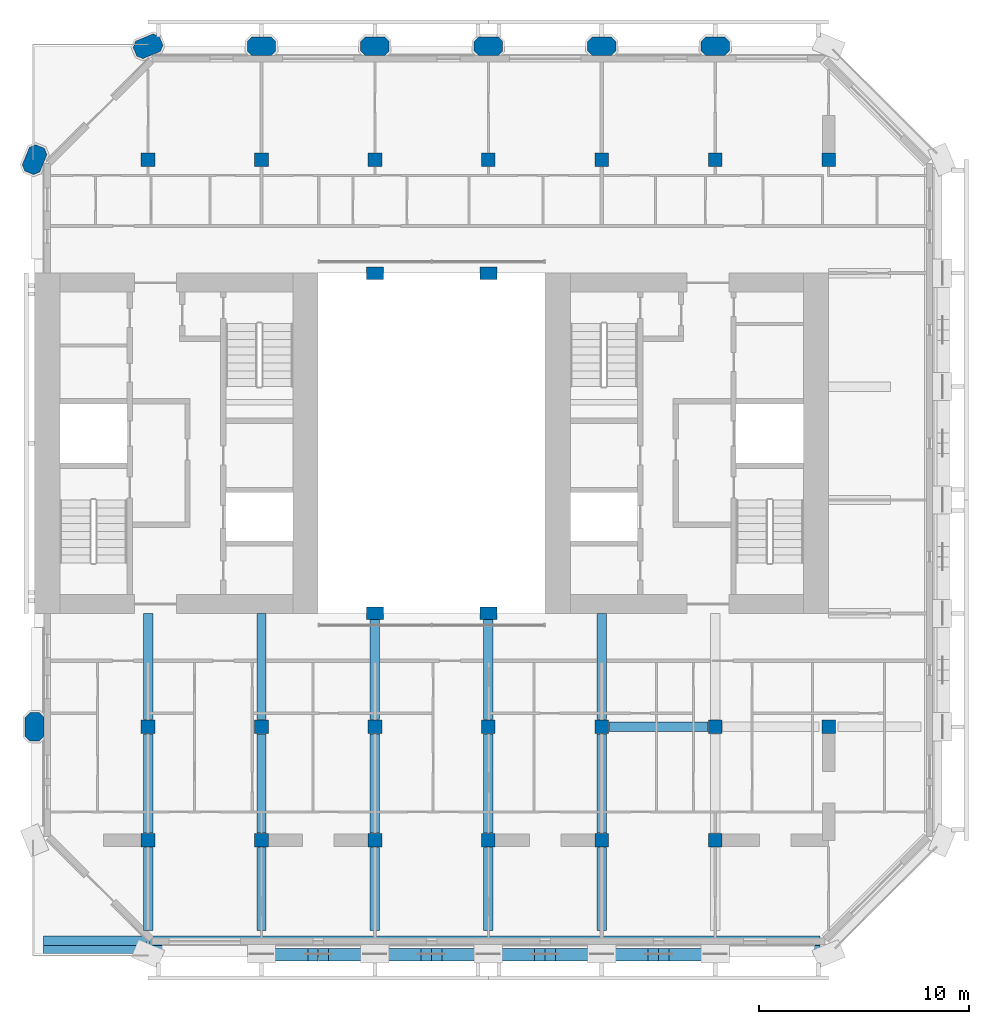
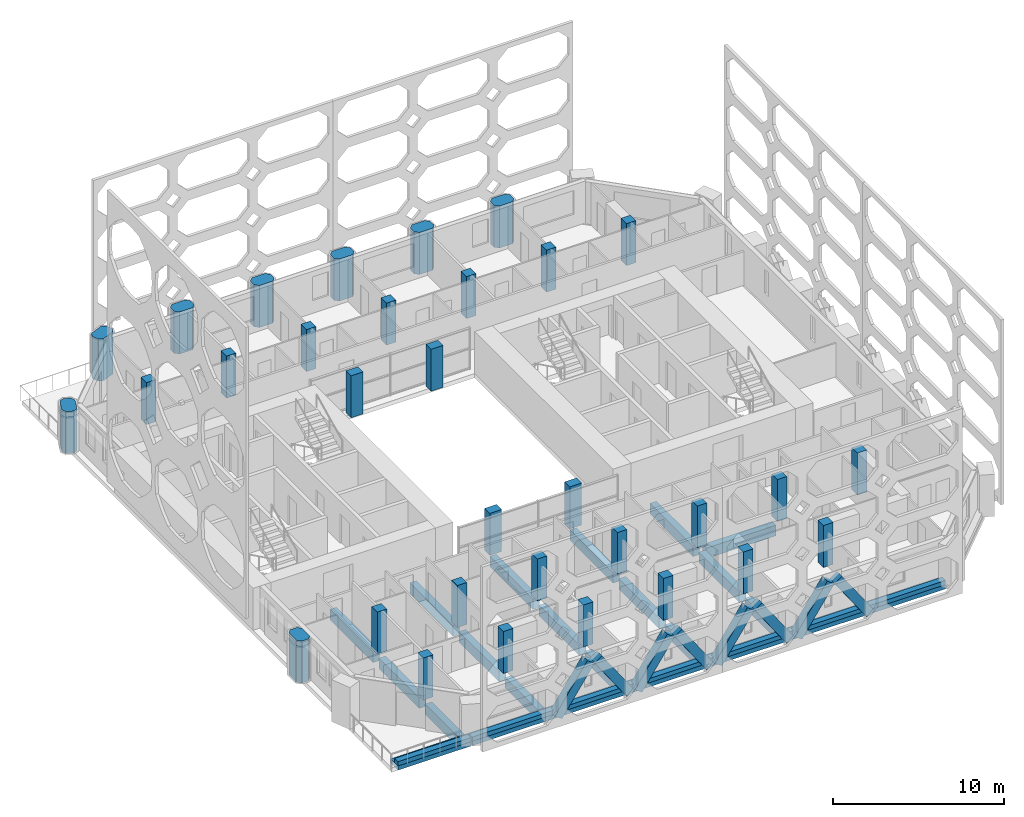
# One storey, part 1 of 15: 32 columns, 20 beams, 8 members.
"""IFC4 building model written with IfcOpenShell, lengths in metres."""

from ifc_helpers import new_model, si_unit, direction, frame, origin, origin_2d, place, context, subcontext, project, spatial, polyline, rectangle, outline, extrude, material, material_profile, profile_set, type_object, element, save


model = new_model("IFC4")

# Units and contexts
model_context = context("Model", 3, precision=1e-05, world=origin(), true_north=direction((0.0, 1.0)))
body_context = subcontext(model_context, "Body", "Model", "MODEL_VIEW")
ifc_project = project(units=[si_unit("LENGTHUNIT", "METRE"), si_unit("AREAUNIT", "SQUARE_METRE"), si_unit("VOLUMEUNIT", "CUBIC_METRE"), si_unit("PLANEANGLEUNIT", "RADIAN"), si_unit("MASSUNIT", "GRAM", prefix="KILO")], contexts=[model_context])

# Site, building, storey
site_placement = place(None, origin())
site = spatial("IfcSite", under=ifc_project, at=site_placement, CompositionType="ELEMENT")
building_placement = place(site_placement, origin())
building = spatial("IfcBuilding", under=site, at=building_placement, Name="Tabaq Tower and Sports Hall", CompositionType="ELEMENT")
storey_placement = place(building_placement, frame((0.0, 0.0, 265.300048828125)))
storey = spatial("IfcBuildingStorey", under=building, at=storey_placement, Name="L64", CompositionType="ELEMENT", Elevation=265.300048828125)

# Columns
ifc_material_1 = material(Name="Concrete C40/50", Category="concrete")
ifc_material_profile_1 = material_profile(ifc_material_1, rectangle(XDim=0.800048828125, YDim=0.60009765625, at=origin_2d()), Name="ATRIUM COLUMN 800x600")
ifc_profile_set_1 = profile_set([ifc_material_profile_1], Name="Concrete C40/50")
column_type_1 = type_object("IfcColumnType", Name="RC COLUMN ATRIUM COLUMN 800x600 C40/50", PredefinedType="COLUMN", material=ifc_profile_set_1)
for number, where, z_axis, x_axis, name in (
    (1, (21.60009765625, 16.199951171875, 0.0), (0.0, 0.0, 1.0), (1.0, 0.0, 0.0), "Atrium Column 5/D L64"),
    (2, (27.0, 16.199951171875, 0.0), (0.0, 0.0, 1.0), (1.0, 0.0, 0.0), "Atrium Column 6/D L64"),
    (3, (21.60009765625, 32.39990234375, 0.0), (0.0, 0.0, 1.0), (1.0, 0.0, 0.0), "Atrium Column 5/G L64"),
    (4, (27.0, 32.39990234375, 0.0), (0.0, 0.0, 1.0), (1.0, 0.0, 0.0), "Atrium Column 6/G L64"),
):
    element("IfcColumn", number, at=place(storey_placement, frame(where, z_axis=z_axis, x_axis=x_axis)), inside=storey, type_object=column_type_1, Name=name, PredefinedType="COLUMN", context=body_context, shape_type="SweptSolid", body=[
        extrude(rectangle(XDim=0.800048828125, YDim=0.60009765625, at=origin_2d()), origin(), (0.0, 0.0, 1.0), 3.0),
    ])
ifc_material_2 = material(Name="Concrete C40/50", Category="concrete")
ifc_material_profile_2 = material_profile(ifc_material_2, rectangle(XDim=0.64990234375, YDim=0.64990234375, at=origin_2d()), Name="COLUMN 650x650")
ifc_profile_set_2 = profile_set([ifc_material_profile_2], Name="Concrete C40/50")
column_type_2 = type_object("IfcColumnType", Name="RC COLUMN COLUMN 650x650 C40/50", PredefinedType="COLUMN", material=ifc_profile_set_2)
for number, where, z_axis, x_axis, name in (
    (5, (10.800048828125, 5.39990234375, 0.0), (0.0, 0.0, 1.0), (1.0, 0.0, 0.0), "Column 3/B L64"),
    (6, (16.199951171875, 5.39990234375, 0.0), (0.0, 0.0, 1.0), (1.0, 0.0, 0.0), "Column 4/B L64"),
    (7, (21.60009765625, 5.39990234375, 0.0), (0.0, 0.0, 1.0), (1.0, 0.0, 0.0), "Column 5/B L64"),
    (8, (27.0, 5.39990234375, 0.0), (0.0, 0.0, 1.0), (1.0, 0.0, 0.0), "Column 6/B L64"),
    (9, (32.39990234375, 5.39990234375, 0.0), (0.0, 0.0, 1.0), (1.0, 0.0, 0.0), "Column 7/B L64"),
    (10, (37.800048828125, 5.39990234375, 0.0), (0.0, 0.0, 1.0), (1.0, 0.0, 0.0), "Column 8/B L64"),
    (11, (10.800048828125, 10.800048828125, 0.0), (0.0, 0.0, 1.0), (1.0, 0.0, 0.0), "Column 3/C L64"),
    (12, (16.199951171875, 10.800048828125, 0.0), (0.0, 0.0, 1.0), (1.0, 0.0, 0.0), "Column 4/C L64"),
    (13, (21.60009765625, 10.800048828125, 0.0), (0.0, 0.0, 1.0), (1.0, 0.0, 0.0), "Column 5/C L64"),
    (14, (27.0, 10.800048828125, 0.0), (0.0, 0.0, 1.0), (1.0, 0.0, 0.0), "Column 6/C L64"),
    (15, (32.39990234375, 10.800048828125, 0.0), (0.0, 0.0, 1.0), (1.0, 0.0, 0.0), "Column 7/C L64"),
    (16, (37.800048828125, 10.800048828125, 0.0), (0.0, 0.0, 1.0), (1.0, 0.0, 0.0), "Column 8/C L64"),
    (17, (43.199951171875, 10.800048828125, 0.0), (0.0, 0.0, 1.0), (1.0, 0.0, 0.0), "Column 9/C L64"),
    (18, (10.800048828125, 37.800048828125, 0.0), (0.0, 0.0, 1.0), (1.0, 0.0, 0.0), "Column 3/H L64"),
    (19, (16.199951171875, 37.800048828125, 0.0), (0.0, 0.0, 1.0), (1.0, 0.0, 0.0), "Column 4/H L64"),
    (20, (21.60009765625, 37.800048828125, 0.0), (0.0, 0.0, 1.0), (1.0, 0.0, 0.0), "Column 5/H L64"),
    (21, (27.0, 37.800048828125, 0.0), (0.0, 0.0, 1.0), (1.0, 0.0, 0.0), "Column 6/H L64"),
    (22, (32.39990234375, 37.800048828125, 0.0), (0.0, 0.0, 1.0), (1.0, 0.0, 0.0), "Column 7/H L64"),
    (23, (37.800048828125, 37.800048828125, 0.0), (0.0, 0.0, 1.0), (1.0, 0.0, 0.0), "Column 8/H L64"),
    (24, (43.199951171875, 37.800048828125, 0.0), (0.0, 0.0, 1.0), (1.0, 0.0, 0.0), "Column 9/H L64"),
):
    element("IfcColumn", number, at=place(storey_placement, frame(where, z_axis=z_axis, x_axis=x_axis)), inside=storey, type_object=column_type_2, Name=name, PredefinedType="COLUMN", context=body_context, shape_type="SweptSolid", body=[
        extrude(rectangle(XDim=0.64990234375, YDim=0.64990234375, at=origin_2d()), origin(), (0.0, 0.0, 1.0), 3.0),
    ])
ifc_material_3 = material(Name="Concrete C40/50", Category="concrete")
ifc_material_profile_3 = material_profile(ifc_material_3, outline(polyline([(-0.449951171875, -0.449951171875), (0.449951171875, -0.449951171875), (0.675048828125, -0.22509765625), (0.675048828125, 0.22509765625), (0.449951171875, 0.449951171875), (-0.449951171875, 0.449951171875), (-0.675048828125, 0.22509765625), (-0.675048828125, -0.22509765625), (-0.449951171875, -0.449951171875)])), Name="PIER 1350x900")
ifc_profile_set_3 = profile_set([ifc_material_profile_3], Name="Concrete C40/50")
column_type_3 = type_object("IfcColumnType", Name="RC COLUMN PIER 1350x900 C40/50", PredefinedType="COLUMN", material=ifc_profile_set_3)
for number, where, z_axis, x_axis, name in (
    (25, (5.39990234375, 10.800048828125, 0.0), (0.0, 0.0, 1.0), (0.0, 1.0, 0.0), "Pier 2/C L64"),
    (26, (5.39990234375, 37.800048828125, 0.0), (0.0, 0.0, 1.0), (0.382683432365, 0.923879532511, 0.0), "Pier 2/H L64"),
    (27, (10.800048828125, 43.199951171875, 0.0), (0.0, 0.0, 1.0), (0.923879532511, 0.382683432365, 0.0), "Pier 3/I L64"),
    (28, (16.199951171875, 43.199951171875, 0.0), (0.0, 0.0, 1.0), (1.0, 0.0, 0.0), "Pier 4/I L64"),
    (29, (21.60009765625, 43.199951171875, 0.0), (0.0, 0.0, 1.0), (1.0, 0.0, 0.0), "Pier 5/I L64"),
    (30, (27.0, 43.199951171875, 0.0), (0.0, 0.0, 1.0), (1.0, 0.0, 0.0), "Pier 6/I L64"),
    (31, (32.39990234375, 43.199951171875, 0.0), (0.0, 0.0, 1.0), (1.0, 0.0, 0.0), "Pier 7/I L64"),
    (32, (37.800048828125, 43.199951171875, 0.0), (0.0, 0.0, 1.0), (1.0, 0.0, 0.0), "Pier 8/I L64"),
):
    element("IfcColumn", number, at=place(storey_placement, frame(where, z_axis=z_axis, x_axis=x_axis)), inside=storey, type_object=column_type_3, Name=name, PredefinedType="COLUMN", context=body_context, shape_type="SweptSolid", body=[
        extrude(outline(polyline([(-0.449951171875, -0.449951171875), (0.449951171875, -0.449951171875), (0.675048828125, -0.22509765625), (0.675048828125, 0.22509765625), (0.449951171875, 0.449951171875), (-0.449951171875, 0.449951171875), (-0.675048828125, 0.22509765625), (-0.675048828125, -0.22509765625), (-0.449951171875, -0.449951171875)])), origin(), (0.0, 0.0, 1.0), 3.0),
    ])

# Beams
ifc_material_4 = material(Name="Concrete C40/50", Category="concrete")
ifc_material_profile_4 = material_profile(ifc_material_4, rectangle(XDim=0.449951171875, YDim=0.75, at=origin_2d()), Name="CB 450x750")
ifc_profile_set_4 = profile_set([ifc_material_profile_4], Name="Concrete C40/50")
beam_type_1 = type_object("IfcBeamType", Name="PT CANTILEVER BEAM CB 450x750 C40/50", PredefinedType="BEAM", material=ifc_profile_set_4)
beam_1_placement = place(storey_placement, frame((37.449951171875, 10.800048828125, -0.675048828125), z_axis=(-1.0, 0.0, 0.0), x_axis=(0.0, -1.0, 0.0)))
element("IfcBeam", 33, at=beam_1_placement, inside=storey, type_object=beam_type_1, Name="Cantilever Beam L64 E2 span 3", PredefinedType="BEAM", context=body_context, shape_type="SweptSolid", body=[
    extrude(rectangle(XDim=0.449951171875, YDim=0.75, at=origin_2d()), origin(), (0.0, 0.0, 1.0), 4.699951171875),
])
beam_2_placement = place(storey_placement, frame((10.800048828125, 1.10009765625, -0.675048828125), z_axis=(0.0, 1.0, 0.0), x_axis=(-1.0, 0.0, 0.0)))
element("IfcBeam", 34, at=beam_2_placement, inside=storey, type_object=beam_type_1, Name="Cantilever Beam L64 S2 span 1", PredefinedType="BEAM", context=body_context, shape_type="SweptSolid", body=[
    extrude(rectangle(XDim=0.449951171875, YDim=0.75, at=origin_2d()), origin(), (0.0, 0.0, 1.0), 3.949951171875),
])
beam_3_placement = place(storey_placement, frame((10.800048828125, 5.75, -0.675048828125), z_axis=(0.0, 1.0, 0.0), x_axis=(-1.0, 0.0, 0.0)))
element("IfcBeam", 35, at=beam_3_placement, inside=storey, type_object=beam_type_1, Name="Cantilever Beam L64 S2 span 2", PredefinedType="BEAM", context=body_context, shape_type="SweptSolid", body=[
    extrude(rectangle(XDim=0.449951171875, YDim=0.75, at=origin_2d()), origin(), (0.0, 0.0, 1.0), 4.699951171875),
])
beam_4_placement = place(storey_placement, frame((10.800048828125, 11.14990234375, -0.675048828125), z_axis=(0.0, 1.0, 0.0), x_axis=(-1.0, 0.0, 0.0)))
element("IfcBeam", 36, at=beam_4_placement, inside=storey, type_object=beam_type_1, Name="Cantilever Beam L64 S2 span 3", PredefinedType="BEAM", context=body_context, shape_type="SweptSolid", body=[
    extrude(rectangle(XDim=0.449951171875, YDim=0.75, at=origin_2d()), origin(), (0.0, 0.0, 1.0), 5.050048828125),
])
beam_5_placement = place(storey_placement, frame((16.199951171875, 1.10009765625, -0.675048828125), z_axis=(0.0, 1.0, 0.0), x_axis=(-1.0, 0.0, 0.0)))
element("IfcBeam", 37, at=beam_5_placement, inside=storey, type_object=beam_type_1, Name="Cantilever Beam L64 S3 span 1", PredefinedType="BEAM", context=body_context, shape_type="SweptSolid", body=[
    extrude(rectangle(XDim=0.449951171875, YDim=0.75, at=origin_2d()), origin(), (0.0, 0.0, 1.0), 3.949951171875),
])
beam_6_placement = place(storey_placement, frame((16.199951171875, 5.75, -0.675048828125), z_axis=(0.0, 1.0, 0.0), x_axis=(-1.0, 0.0, 0.0)))
element("IfcBeam", 38, at=beam_6_placement, inside=storey, type_object=beam_type_1, Name="Cantilever Beam L64 S3 span 2", PredefinedType="BEAM", context=body_context, shape_type="SweptSolid", body=[
    extrude(rectangle(XDim=0.449951171875, YDim=0.75, at=origin_2d()), origin(), (0.0, 0.0, 1.0), 4.699951171875),
])
beam_7_placement = place(storey_placement, frame((16.199951171875, 11.14990234375, -0.675048828125), z_axis=(0.0, 1.0, 0.0), x_axis=(-1.0, 0.0, 0.0)))
element("IfcBeam", 39, at=beam_7_placement, inside=storey, type_object=beam_type_1, Name="Cantilever Beam L64 S3 span 3", PredefinedType="BEAM", context=body_context, shape_type="SweptSolid", body=[
    extrude(rectangle(XDim=0.449951171875, YDim=0.75, at=origin_2d()), origin(), (0.0, 0.0, 1.0), 5.050048828125),
])
beam_8_placement = place(storey_placement, frame((21.60009765625, 1.10009765625, -0.675048828125), z_axis=(0.0, 1.0, 0.0), x_axis=(-1.0, 0.0, 0.0)))
element("IfcBeam", 40, at=beam_8_placement, inside=storey, type_object=beam_type_1, Name="Cantilever Beam L64 S4 span 1", PredefinedType="BEAM", context=body_context, shape_type="SweptSolid", body=[
    extrude(rectangle(XDim=0.449951171875, YDim=0.75, at=origin_2d()), origin(), (0.0, 0.0, 1.0), 3.949951171875),
])
beam_9_placement = place(storey_placement, frame((21.60009765625, 5.75, -0.675048828125), z_axis=(0.0, 1.0, 0.0), x_axis=(-1.0, 0.0, 0.0)))
element("IfcBeam", 41, at=beam_9_placement, inside=storey, type_object=beam_type_1, Name="Cantilever Beam L64 S4 span 2", PredefinedType="BEAM", context=body_context, shape_type="SweptSolid", body=[
    extrude(rectangle(XDim=0.449951171875, YDim=0.75, at=origin_2d()), origin(), (0.0, 0.0, 1.0), 4.699951171875),
])
beam_10_placement = place(storey_placement, frame((21.60009765625, 11.14990234375, -0.675048828125), z_axis=(0.0, 1.0, 0.0), x_axis=(-1.0, 0.0, 0.0)))
element("IfcBeam", 42, at=beam_10_placement, inside=storey, type_object=beam_type_1, Name="Cantilever Beam L64 S4 span 3", PredefinedType="BEAM", context=body_context, shape_type="SweptSolid", body=[
    extrude(rectangle(XDim=0.449951171875, YDim=0.75, at=origin_2d()), origin(), (0.0, 0.0, 1.0), 5.050048828125),
])
beam_11_placement = place(storey_placement, frame((27.0, 1.10009765625, -0.675048828125), z_axis=(0.0, 1.0, 0.0), x_axis=(-1.0, 0.0, 0.0)))
element("IfcBeam", 43, at=beam_11_placement, inside=storey, type_object=beam_type_1, Name="Cantilever Beam L64 S5 span 1", PredefinedType="BEAM", context=body_context, shape_type="SweptSolid", body=[
    extrude(rectangle(XDim=0.449951171875, YDim=0.75, at=origin_2d()), origin(), (0.0, 0.0, 1.0), 3.949951171875),
])
beam_12_placement = place(storey_placement, frame((27.0, 5.75, -0.675048828125), z_axis=(0.0, 1.0, 0.0), x_axis=(-1.0, 0.0, 0.0)))
element("IfcBeam", 44, at=beam_12_placement, inside=storey, type_object=beam_type_1, Name="Cantilever Beam L64 S5 span 2", PredefinedType="BEAM", context=body_context, shape_type="SweptSolid", body=[
    extrude(rectangle(XDim=0.449951171875, YDim=0.75, at=origin_2d()), origin(), (0.0, 0.0, 1.0), 4.699951171875),
])
beam_13_placement = place(storey_placement, frame((27.0, 11.14990234375, -0.675048828125), z_axis=(0.0, 1.0, 0.0), x_axis=(-1.0, 0.0, 0.0)))
element("IfcBeam", 45, at=beam_13_placement, inside=storey, type_object=beam_type_1, Name="Cantilever Beam L64 S5 span 3", PredefinedType="BEAM", context=body_context, shape_type="SweptSolid", body=[
    extrude(rectangle(XDim=0.449951171875, YDim=0.75, at=origin_2d()), origin(), (0.0, 0.0, 1.0), 5.050048828125),
])
beam_14_placement = place(storey_placement, frame((32.39990234375, 1.10009765625, -0.675048828125), z_axis=(0.0, 1.0, 0.0), x_axis=(-1.0, 0.0, 0.0)))
element("IfcBeam", 46, at=beam_14_placement, inside=storey, type_object=beam_type_1, Name="Cantilever Beam L64 S6 span 1", PredefinedType="BEAM", context=body_context, shape_type="SweptSolid", body=[
    extrude(rectangle(XDim=0.449951171875, YDim=0.75, at=origin_2d()), origin(), (0.0, 0.0, 1.0), 3.949951171875),
])
beam_15_placement = place(storey_placement, frame((32.39990234375, 5.75, -0.675048828125), z_axis=(0.0, 1.0, 0.0), x_axis=(-1.0, 0.0, 0.0)))
element("IfcBeam", 47, at=beam_15_placement, inside=storey, type_object=beam_type_1, Name="Cantilever Beam L64 S6 span 2", PredefinedType="BEAM", context=body_context, shape_type="SweptSolid", body=[
    extrude(rectangle(XDim=0.449951171875, YDim=0.75, at=origin_2d()), origin(), (0.0, 0.0, 1.0), 4.699951171875),
])
beam_16_placement = place(storey_placement, frame((32.39990234375, 11.14990234375, -0.675048828125), z_axis=(0.0, 1.0, 0.0), x_axis=(-1.0, 0.0, 0.0)))
element("IfcBeam", 48, at=beam_16_placement, inside=storey, type_object=beam_type_1, Name="Cantilever Beam L64 S6 span 3", PredefinedType="BEAM", context=body_context, shape_type="SweptSolid", body=[
    extrude(rectangle(XDim=0.449951171875, YDim=0.75, at=origin_2d()), origin(), (0.0, 0.0, 1.0), 5.050048828125),
])
ifc_material_5 = material(Name="Concrete C40/50", Category="concrete")
ifc_material_profile_5 = material_profile(ifc_material_5, rectangle(XDim=0.85009765625, YDim=0.300048828125, at=origin_2d()), Name="EB 850x300")
ifc_profile_set_5 = profile_set([ifc_material_profile_5], Name="Concrete C40/50")
beam_type_2 = type_object("IfcBeamType", Name="PT EDGE BEAM EB 850x300 C40/50", PredefinedType="SPANDREL", material=ifc_profile_set_5)
beam_17_placement = place(storey_placement, frame((5.81494140625, 0.425048828125, -0.150146484375), z_axis=(1.0, 0.0, 0.0), x_axis=(0.0, 1.0, 0.0)))
element("IfcBeam", 49, at=beam_17_placement, inside=storey, type_object=beam_type_2, Name="Edge Beam L64 1", PredefinedType="SPANDREL", context=body_context, shape_type="SweptSolid", body=[
    extrude(rectangle(XDim=0.85009765625, YDim=0.300048828125, at=origin_2d()), origin(), (0.0, 0.0, 1.0), 4.93505859375),
])
beam_18_placement = place(storey_placement, frame((10.85009765625, 0.425048828125, -0.150146484375), z_axis=(1.0, 0.0, 0.0), x_axis=(0.0, 1.0, 0.0)))
element("IfcBeam", 50, at=beam_18_placement, inside=storey, type_object=beam_type_2, Name="Edge Beam L64 2", PredefinedType="SPANDREL", context=body_context, shape_type="SweptSolid", body=[
    extrude(rectangle(XDim=0.85009765625, YDim=0.300048828125, at=origin_2d()), origin(), (0.0, 0.0, 1.0), 31.94775390625),
])
ifc_material_6 = material(Name="Concrete C40/50", Category="concrete")
ifc_material_profile_6 = material_profile(ifc_material_6, rectangle(XDim=0.39990234375, YDim=0.300048828125, at=origin_2d()), Name="EU 400x300")
ifc_profile_set_6 = profile_set([ifc_material_profile_6], Name="Concrete C40/50")
beam_type_3 = type_object("IfcBeamType", Name="PT EDGE UPSTAND EU 400x300 C40/50", PredefinedType="BEAM", material=ifc_profile_set_6)
beam_19_placement = place(storey_placement, frame((5.81494140625, 0.199951171875, 0.14990234375), z_axis=(1.0, 0.0, 0.0), x_axis=(0.0, 1.0, 0.0)))
element("IfcBeam", 51, at=beam_19_placement, inside=storey, type_object=beam_type_3, Name="Edge Upstand L64 1", PredefinedType="BEAM", context=body_context, shape_type="SweptSolid", body=[
    extrude(rectangle(XDim=0.39990234375, YDim=0.300048828125, at=origin_2d()), origin(), (0.0, 0.0, 1.0), 4.93505859375),
])
beam_20_placement = place(storey_placement, frame((10.85009765625, 0.199951171875, 0.14990234375), z_axis=(1.0, 0.0, 0.0), x_axis=(0.0, 1.0, 0.0)))
element("IfcBeam", 52, at=beam_20_placement, inside=storey, type_object=beam_type_3, Name="Edge Upstand L64 2", PredefinedType="BEAM", context=body_context, shape_type="SweptSolid", body=[
    extrude(rectangle(XDim=0.39990234375, YDim=0.300048828125, at=origin_2d()), origin(), (0.0, 0.0, 1.0), 31.94775390625),
])

# Members
ifc_material_7 = material(Name="Concrete C40/50", Category="concrete")
ifc_material_profile_7 = material_profile(ifc_material_7, rectangle(XDim=0.60009765625, YDim=0.60009765625, at=origin_2d()), Name="TRANSFER BAND BRACE 600x600")
ifc_profile_set_7 = profile_set([ifc_material_profile_7], Name="Concrete C40/50")
member_type = type_object("IfcMemberType", Name="RC TRANSFER BAND BRACE 600x600 C40/50", PredefinedType="BRACE", material=ifc_profile_set_7)
for number, where, z_axis, x_axis, name in (
    (53, (16.449951171875, -0.050048828125, -0.050048828125), (0.56652615464, 0.0, 0.824043758613), (0.0, 1.0, 0.0), "Transfer Band Brace L64 South 1"),
    (54, (21.35009765625, -0.050048828125, -0.050048828125), (-0.566568844459, 0.0, 0.824014407937), (0.0, -1.0, 0.0), "Transfer Band Brace L64 South 2"),
    (55, (21.85009765625, -0.050048828125, -0.050048828125), (0.56652615464, 0.0, 0.824043758613), (0.0, 1.0, 0.0), "Transfer Band Brace L64 South 3"),
    (56, (26.75, -0.050048828125, -0.050048828125), (-0.56652615464, 0.0, 0.824043758613), (0.0, -1.0, 0.0), "Transfer Band Brace L64 South 4"),
    (57, (27.25, -0.050048828125, -0.050048828125), (0.56652615464, 0.0, 0.824043758613), (0.0, 1.0, 0.0), "Transfer Band Brace L64 South 5"),
    (58, (32.14990234375, -0.050048828125, -0.050048828125), (-0.56652615464, 0.0, 0.824043758613), (0.0, -1.0, 0.0), "Transfer Band Brace L64 South 6"),
    (59, (32.64990234375, -0.050048828125, -0.050048828125), (0.566568844459, 0.0, 0.824014407937), (0.0, 1.0, 0.0), "Transfer Band Brace L64 South 7"),
    (60, (37.550048828125, -0.050048828125, -0.050048828125), (-0.56652615464, 0.0, 0.824043758613), (0.0, -1.0, 0.0), "Transfer Band Brace L64 South 8"),
):
    element("IfcMember", number, at=place(storey_placement, frame(where, z_axis=z_axis, x_axis=x_axis)), inside=storey, type_object=member_type, Name=name, PredefinedType="BRACE", context=body_context, shape_type="SweptSolid", body=[
        extrude(rectangle(XDim=0.60009765625, YDim=0.60009765625, at=origin_2d()), origin(), (0.0, 0.0, 1.0), 3.88330078125),
    ])

save(model, "model.ifc")
